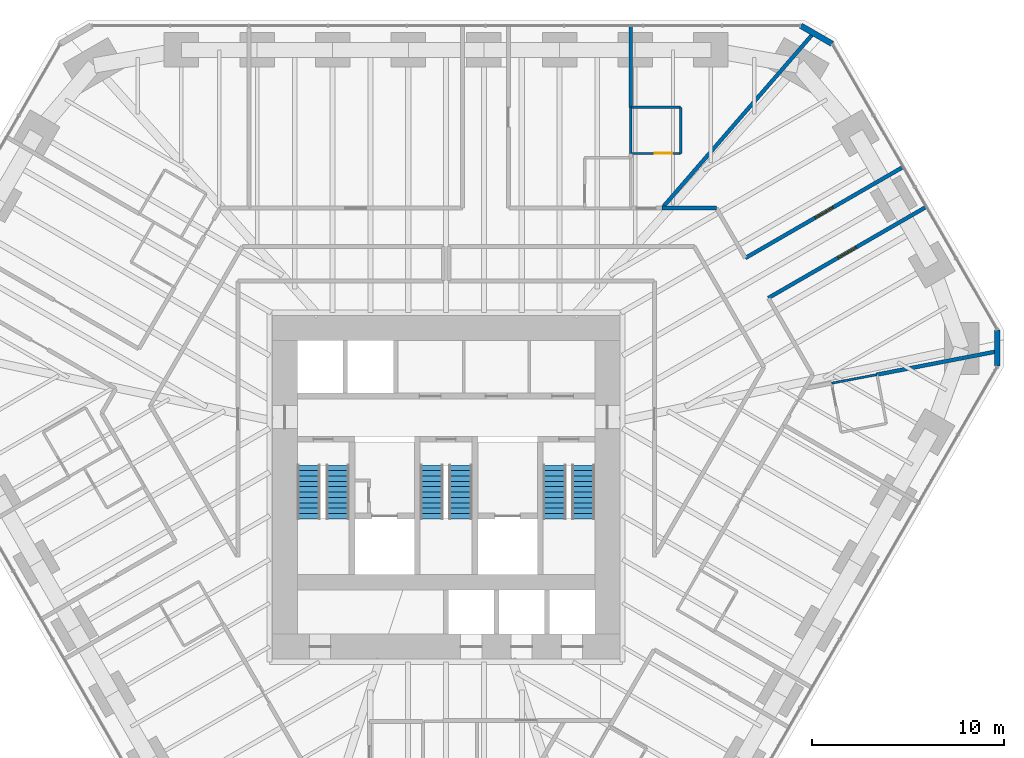
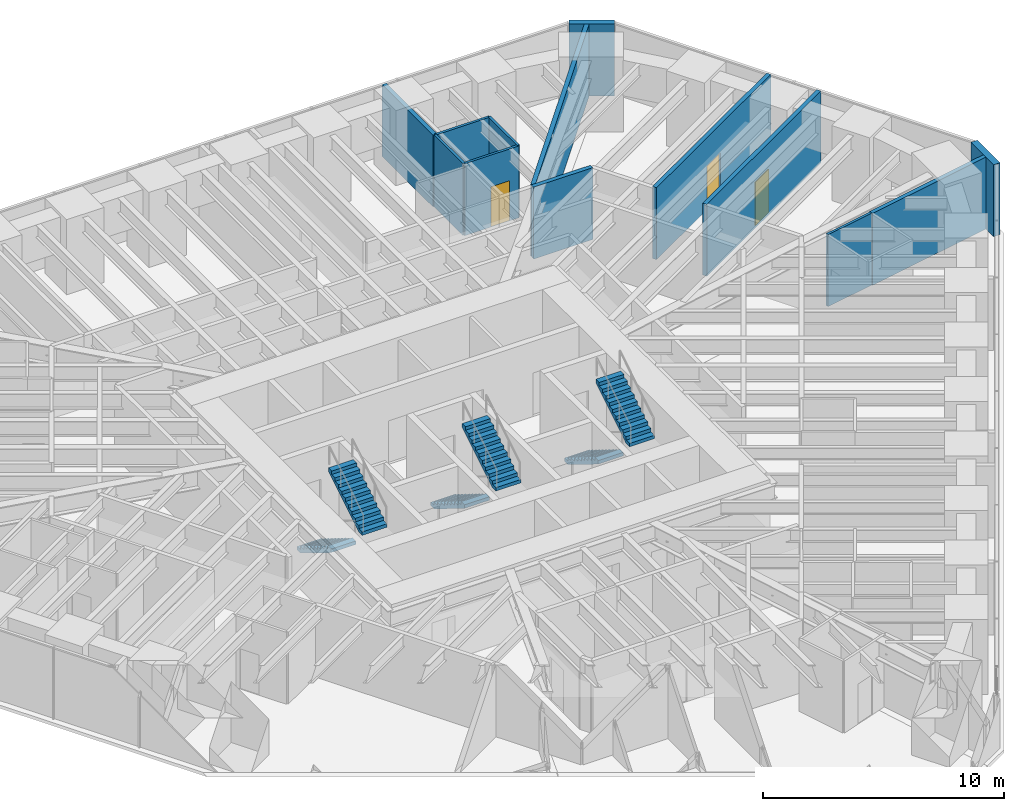
# One storey, part 15 of 16: 13 walls, 6 stair flights, 3 doors, 3 openings, 3 elements without a shape of their own.
"""IFC4 building model written with IfcOpenShell, lengths in metres."""

from ifc_helpers import new_model, si_unit, direction, frame, frame_2d, origin, place, context, subcontext, project, spatial, polyline, rectangle, outline, extrude, material, layer, layer_set, type_object, element, fill, aggregate, save


model = new_model("IFC4")

# Units and contexts
model_context = context("Model", 3, precision=1e-05, world=origin(), true_north=direction((0.0, 1.0)))
body_context = subcontext(model_context, "Body", "Model", "MODEL_VIEW")
ifc_project = project(units=[si_unit("LENGTHUNIT", "METRE"), si_unit("AREAUNIT", "SQUARE_METRE"), si_unit("VOLUMEUNIT", "CUBIC_METRE"), si_unit("PLANEANGLEUNIT", "RADIAN"), si_unit("MASSUNIT", "GRAM", prefix="KILO")], contexts=[model_context])

# Site, building, storey
site_placement = place(None, origin())
site = spatial("IfcSite", under=ifc_project, at=site_placement, CompositionType="ELEMENT")
building_placement = place(site_placement, origin())
building = spatial("IfcBuilding", under=site, at=building_placement, Name="Sandreach Pilgrim Tower", CompositionType="ELEMENT")
storey_placement = place(building_placement, frame((0.0, 0.0, 134.800048828125)))
storey = spatial("IfcBuildingStorey", under=building, at=storey_placement, Name="L33", CompositionType="ELEMENT", Elevation=134.800048828125)

# Wall, opening, door
ifc_material_1 = material(Name="Moisture-resistant gypsum board on steel studs", Category="steel")
ifc_layer_1 = layer(ifc_material_1, 0.1201171875)
ifc_layer_set_1 = layer_set([ifc_layer_1], Name="Bathroom partition 120")
wall_type_1 = type_object("IfcWallType", Name="Bathroom partition 120", PredefinedType="PARTITIONING", material=ifc_layer_set_1)
wall_1_placement = place(storey_placement, frame((9.6201171875, 15.840087890625, 0.0), z_axis=(0.0, 0.0, 1.0), x_axis=(1.0, 0.0, 0.0)))
wall_1 = element("IfcWall", 1, at=wall_1_placement, inside=storey, type_object=wall_type_1, Name="Bathroom partition L33-102", PredefinedType="PARTITIONING", context=body_context, shape_type="SweptSolid", body=[
    extrude(rectangle(XDim=2.599853515625, YDim=0.1201171875, at=frame_2d((1.2998046875, 0.0))), origin(), (0.0, 0.0, 1.0), 3.639892578125),
])
opening_1_placement = place(wall_1_placement, frame((1.25, 0.0, 0.0)))
opening_1 = element("IfcOpeningElement", 2, at=opening_1_placement, cuts=wall_1, Name="Opening D09-03B", PredefinedType="OPENING", context=body_context, shape_type="SweptSolid", body=[
    extrude(rectangle(XDim=0.89990234375, YDim=2.030029296875, at=frame_2d((0.449951171875, 1.01513671875))), frame((0.0, 0.06005859375, 0.0), z_axis=(0.0, -1.0, 0.0), x_axis=(1.0, 0.0, 0.0)), (0.0, 0.0, 1.0), 0.1201171875),
])
ifc_material_2 = material(Name="Timber door, steel frame", Category="steel")
door_type_1 = type_object("IfcDoorType", Name="Bathroom door", OperationType="SINGLE_SWING_LEFT", PredefinedType="DOOR", material=ifc_material_2)
door_1_placement = place(opening_1_placement, origin())
door_1 = element("IfcDoor", 3, at=door_1_placement, inside=storey, type_object=door_type_1, Name="Door 3303B", OperationType="SINGLE_SWING_RIGHT", OverallHeight=2.030029296875, OverallWidth=0.89990234375, PredefinedType="DOOR", context=body_context, shape_type="SweptSolid", body=[
    extrude(rectangle(XDim=0.89990234375, YDim=2.030029296875, at=frame_2d((0.449951171875, 1.01513671875))), frame((0.0, 0.02490234375, 0.0), z_axis=(0.0, -1.0, 0.0), x_axis=(1.0, 0.0, 0.0)), (0.0, 0.0, 1.0), 0.050048828125),
])
fill(opening_1, door_1)

# Walls
for number, where, z_axis, x_axis, name in (
    (4, (9.6201171875, 18.239990234375, 0.0), (0.0, 0.0, 1.0), (0.0, -1.0, 0.0), "Bathroom partition L33-103"),
    (5, (12.219970703125, 15.840087890625, 0.0), (0.0, 0.0, 1.0), (0.0, 1.0, 0.0), "Bathroom partition L33-114"),
):
    element("IfcWall", number, at=place(storey_placement, frame(where, z_axis=z_axis, x_axis=x_axis)), inside=storey, type_object=wall_type_1, Name=name, PredefinedType="PARTITIONING", context=body_context, shape_type="SweptSolid", body=[
        extrude(rectangle(XDim=2.39990234375, YDim=0.1201171875, at=frame_2d((1.199951171875, 0.0))), origin(), (0.0, 0.0, 1.0), 3.639892578125),
    ])
wall_2_placement = place(storey_placement, frame((12.219970703125, 18.239990234375, 0.0), z_axis=(0.0, 0.0, 1.0), x_axis=(-1.0, 0.0, 0.0)))
element("IfcWall", 6, at=wall_2_placement, inside=storey, type_object=wall_type_1, Name="Bathroom partition L33-115", PredefinedType="PARTITIONING", context=body_context, shape_type="SweptSolid", body=[
    extrude(rectangle(XDim=2.599853515625, YDim=0.1201171875, at=frame_2d((1.2998046875, 0.0))), origin(), (0.0, 0.0, 1.0), 3.639892578125),
])
wall_3_placement = place(storey_placement, frame((20.090087890625, 3.8701171875, 0.0), z_axis=(0.0, 0.0, 1.0), x_axis=(0.982478825295, 0.186374241373, 0.0)))
element("IfcWall", 7, at=wall_3_placement, inside=storey, type_object=wall_type_1, Name="Bathroom partition L33-131", PredefinedType="PARTITIONING", context=body_context, shape_type="SweptSolid", body=[
    extrude(rectangle(XDim=2.40234375, YDim=0.1201171875, at=frame_2d((1.201171875, 0.0))), origin(), (0.0, 0.0, 1.0), 3.639892578125),
])
ifc_material_3 = material(Name="Gypsum board on steel studs, two layers each side", Category="steel")
ifc_layer_2 = layer(ifc_material_3, 0.199951171875)
ifc_layer_set_2 = layer_set([ifc_layer_2], Name="Corridor wall 200")
wall_type_2 = type_object("IfcWallType", Name="Corridor wall 200", PredefinedType="PARTITIONING", material=ifc_layer_set_2)
wall_4_placement = place(storey_placement, frame((14.080078125, 12.989990234375, 0.0), z_axis=(0.0, 0.0, 1.0), x_axis=(-1.0, 0.0, 0.0)))
element("IfcWall", 8, at=wall_4_placement, inside=storey, type_object=wall_type_2, Name="Corridor wall L33-120", PredefinedType="PARTITIONING", context=body_context, shape_type="SweptSolid", body=[
    extrude(rectangle(XDim=2.830078125, YDim=0.199951171875, at=frame_2d((1.4150390625, 0.0))), origin(), (0.0, 0.0, 1.0), 3.639892578125),
])

# Wall, opening, door
wall_5_placement = place(storey_placement, frame((16.7900390625, 8.31005859375, 0.0), z_axis=(0.0, 0.0, 1.0), x_axis=(0.866106622958, 0.499859297871, 0.0)))
wall_5 = element("IfcWall", 9, at=wall_5_placement, inside=storey, type_object=wall_type_2, Name="Corridor wall L33-124", PredefinedType="PARTITIONING", context=body_context, shape_type="SweptSolid", body=[
    extrude(rectangle(XDim=9.472412109375, YDim=0.199951171875, at=frame_2d((4.736328125, 0.0))), origin(), (0.0, 0.0, 1.0), 3.639892578125),
])
opening_2_placement = place(wall_5_placement, frame((4.186279296875, 0.0, 0.0)))
opening_2 = element("IfcOpeningElement", 10, at=opening_2_placement, cuts=wall_5, Name="Opening D11H-05", PredefinedType="OPENING", context=body_context, shape_type="SweptSolid", body=[
    extrude(rectangle(XDim=1.10009765625, YDim=2.199951171875, at=frame_2d((0.550048828125, 1.10009765625))), frame((0.0, 0.10009765625, 0.0), z_axis=(0.0, -1.0, 0.0), x_axis=(1.0, 0.0, 0.0)), (0.0, 0.0, 1.0), 0.199951171875),
])
ifc_material_4 = material(Name="Steel door and frame", Category="steel")
door_type_2 = type_object("IfcDoorType", Name="Back of house door", OperationType="SINGLE_SWING_LEFT", PredefinedType="DOOR", material=ifc_material_4)
door_2_placement = place(opening_2_placement, origin())
door_2 = element("IfcDoor", 11, at=door_2_placement, inside=storey, type_object=door_type_2, Name="Door 3305", OperationType="SINGLE_SWING_LEFT", OverallHeight=2.199951171875, OverallWidth=1.10009765625, PredefinedType="DOOR", context=body_context, shape_type="SweptSolid", body=[
    extrude(rectangle(XDim=1.10009765625, YDim=2.199951171875, at=frame_2d((0.550048828125, 1.10009765625))), frame((0.0, 0.02490234375, 0.0), z_axis=(0.0, -1.0, 0.0), x_axis=(1.0, 0.0, 0.0)), (0.0, 0.0, 1.0), 0.050048828125),
])
fill(opening_2, door_2)

wall_6_placement = place(storey_placement, frame((23.7939453125, 15.125, 0.0), z_axis=(0.0, 0.0, 1.0), x_axis=(-0.866089024064, -0.499889790249, 0.0)))
wall_6 = element("IfcWall", 12, at=wall_6_placement, inside=storey, type_object=wall_type_2, Name="Corridor wall L33-135", PredefinedType="PARTITIONING", context=body_context, shape_type="SweptSolid", body=[
    extrude(rectangle(XDim=9.472412109375, YDim=0.199951171875, at=frame_2d((4.736328125, 0.0))), origin(), (0.0, 0.0, 1.0), 3.639892578125),
])
opening_3_placement = place(wall_6_placement, frame((4.186279296875, 0.0, 0.0)))
opening_3 = element("IfcOpeningElement", 13, at=opening_3_placement, cuts=wall_6, Name="Opening D11H-04", PredefinedType="OPENING", context=body_context, shape_type="SweptSolid", body=[
    extrude(rectangle(XDim=1.10009765625, YDim=2.199951171875, at=frame_2d((0.550048828125, 1.10009765625))), frame((0.0, 0.10009765625, 0.0), z_axis=(0.0, -1.0, 0.0), x_axis=(1.0, 0.0, 0.0)), (0.0, 0.0, 1.0), 0.199951171875),
])
door_3_placement = place(opening_3_placement, origin())
door_3 = element("IfcDoor", 14, at=door_3_placement, inside=storey, type_object=door_type_2, Name="Door 3304", OperationType="SINGLE_SWING_LEFT", OverallHeight=2.199951171875, OverallWidth=1.10009765625, PredefinedType="DOOR", context=body_context, shape_type="SweptSolid", body=[
    extrude(rectangle(XDim=1.10009765625, YDim=2.199951171875, at=frame_2d((0.550048828125, 1.10009765625))), frame((0.0, 0.02490234375, 0.0), z_axis=(0.0, -1.0, 0.0), x_axis=(1.0, 0.0, 0.0)), (0.0, 0.0, 1.0), 0.050048828125),
])
fill(opening_3, door_3)

# Walls
ifc_material_5 = material(Name="Double steel stud acoustic wall, gypsum board", Category="steel")
ifc_layer_3 = layer(ifc_material_5, 0.199951171875)
ifc_layer_set_3 = layer_set([ifc_layer_3], Name="Party wall 200")
wall_type_3 = type_object("IfcWallType", Name="Party wall 200", PredefinedType="PARTITIONING", material=ifc_layer_set_3)
wall_7_placement = place(storey_placement, frame((9.6201171875, 22.4599609375, 0.0), z_axis=(0.0, 0.0, 1.0), x_axis=(0.0, -1.0, 0.0)))
element("IfcWall", 15, at=wall_7_placement, inside=storey, type_object=wall_type_3, Name="Party wall L33-104", PredefinedType="PARTITIONING", context=body_context, shape_type="SweptSolid", body=[
    extrude(rectangle(XDim=4.219970703125, YDim=0.199951171875, at=frame_2d((2.10986328125, 0.0))), origin(), (0.0, 0.0, 1.0), 3.639892578125),
])
wall_8_placement = place(storey_placement, frame((19.160400390625, 22.127197265625, 0.0), z_axis=(0.0, 0.0, 1.0), x_axis=(-0.654528846076, -0.756037029288, 0.0)))
element("IfcWall", 16, at=wall_8_placement, inside=storey, type_object=wall_type_3, Name="Party wall L33-129", PredefinedType="PARTITIONING", context=body_context, shape_type="SweptSolid", body=[
    extrude(rectangle(XDim=11.965576171875, YDim=0.199951171875, at=frame_2d((5.98291015625, 0.0))), origin(), (0.0, 0.0, 1.0), 3.639892578125),
])
wall_9_placement = place(storey_placement, frame((22.450439453125, 4.31787109375, 0.0), z_axis=(0.0, 0.0, 1.0), x_axis=(0.981805297839, 0.189890381894, 0.0)))
element("IfcWall", 17, at=wall_9_placement, inside=storey, type_object=wall_type_3, Name="Party wall L33-133", PredefinedType="PARTITIONING", context=body_context, shape_type="SweptSolid", body=[
    extrude(rectangle(XDim=6.406494140625, YDim=0.199951171875, at=frame_2d((3.203125, 0.0))), origin(), (0.0, 0.0, 1.0), 3.639892578125),
])
ifc_material_6 = material(Name="Terracotta rainscreen on concrete", Category="masonry")
ifc_layer_4 = layer(ifc_material_6, 0.300048828125)
ifc_layer_set_4 = layer_set([ifc_layer_4], Name="Terracotta chamfer pier")
wall_type_4 = type_object("IfcWallType", Name="Terracotta chamfer pier", PredefinedType="SOLIDWALL", material=ifc_layer_set_4)
wall_10_placement = place(storey_placement, frame((18.4814453125, 22.493896484375, 0.0), z_axis=(0.0, 0.0, 1.0), x_axis=(0.865988793993, -0.500063404658, 0.0)))
element("IfcWall", 18, at=wall_10_placement, inside=storey, type_object=wall_type_4, Name="Chamfer pier L33 N", PredefinedType="SOLIDWALL", context=body_context, shape_type="SweptSolid", body=[
    extrude(rectangle(XDim=1.880126953125, YDim=0.300048828125, at=frame_2d((0.93994140625, 0.0))), origin(), (0.0, 0.0, 1.0), 3.639892578125),
])
wall_11_placement = place(storey_placement, frame((28.720947265625, 6.638427734375, 0.0), z_axis=(0.0, 0.0, 1.0), x_axis=(0.0, -1.0, 0.0)))
element("IfcWall", 19, at=wall_11_placement, inside=storey, type_object=wall_type_4, Name="Chamfer pier L33 NE", PredefinedType="SOLIDWALL", context=body_context, shape_type="SweptSolid", body=[
    extrude(rectangle(XDim=1.8798828125, YDim=0.300048828125, at=frame_2d((0.93994140625, 0.0))), origin(), (0.0, 0.0, 1.0), 3.639892578125),
])

# Stair, stair flights
ifc_material_7 = material(Name="Concrete 8000 psi", Category="concrete")
stair_type = type_object("IfcStairType", Name="Core exit stair", PredefinedType="HALF_TURN_STAIR", material=ifc_material_7)
stair_1_placement = place(storey_placement, origin())
stair_1 = element("IfcStair", 20, at=stair_1_placement, inside=storey, type_object=stair_type, Name="Exit stair ST1 L33", PredefinedType="HALF_TURN_STAIR")
ifc_material_8 = material(Name="Concrete 8000 psi", Category="concrete")
stair_flight_type = type_object("IfcStairFlightType", Name="Core stair flight 1200", PredefinedType="STRAIGHT", material=ifc_material_8)
stair_flight_1_placement = place(storey_placement, frame((-7.14990234375, -0.39990234375, 0.0), z_axis=(0.0, 0.0, 1.0), x_axis=(0.0, -1.0, 0.0)))
stair_flight_1 = element("IfcStairFlight", 21, at=stair_flight_1_placement, type_object=stair_flight_type, Name="ST1 flight 1", NumberOfRisers=11, NumberOfTreads=10, PredefinedType="STRAIGHT", RiserHeight=0.172727273, TreadLength=0.28, context=body_context, shape_type="SweptSolid", body=[
    extrude(outline(polyline([(0.0, 0.0), (0.0, 0.172607421875), (0.280029296875, 0.172607421875), (0.280029296875, 0.345458984375), (0.56005859375, 0.345458984375), (0.56005859375, 0.51806640625), (0.840087890625, 0.51806640625), (0.840087890625, 0.69091796875), (1.1201171875, 0.69091796875), (1.1201171875, 0.863525390625), (1.39990234375, 0.863525390625), (1.39990234375, 1.036376953125), (1.679931640625, 1.036376953125), (1.679931640625, 1.208984375), (1.9599609375, 1.208984375), (1.9599609375, 1.3818359375), (2.239990234375, 1.3818359375), (2.239990234375, 1.554443359375), (2.52001953125, 1.554443359375), (2.52001953125, 1.727294921875), (2.800048828125, 1.727294921875), (2.800048828125, 1.89990234375), (2.800048828125, 1.551025390625), (0.285400390625, 0.0), (0.0, 0.0)])), frame((0.0, 0.60009765625, 0.0), z_axis=(0.0, -1.0, 0.0), x_axis=(1.0, 0.0, 0.0)), (0.0, 0.0, 1.0), 1.199951171875),
])
stair_flight_2_placement = place(storey_placement, frame((-5.64990234375, -3.199951171875, 1.89990234375), z_axis=(0.0, 0.0, 1.0), x_axis=(0.0, 1.0, 0.0)))
stair_flight_2 = element("IfcStairFlight", 22, at=stair_flight_2_placement, type_object=stair_flight_type, Name="ST1 flight 2", NumberOfRisers=11, NumberOfTreads=10, PredefinedType="STRAIGHT", RiserHeight=0.172727273, TreadLength=0.28, context=body_context, shape_type="SweptSolid", body=[
    extrude(outline(polyline([(0.0, 0.0), (0.0, 0.172607421875), (0.280029296875, 0.172607421875), (0.280029296875, 0.345458984375), (0.56005859375, 0.345458984375), (0.56005859375, 0.51806640625), (0.840087890625, 0.51806640625), (0.840087890625, 0.69091796875), (1.1201171875, 0.69091796875), (1.1201171875, 0.863525390625), (1.39990234375, 0.863525390625), (1.39990234375, 1.036376953125), (1.679931640625, 1.036376953125), (1.679931640625, 1.208984375), (1.9599609375, 1.208984375), (1.9599609375, 1.3818359375), (2.239990234375, 1.3818359375), (2.239990234375, 1.554443359375), (2.52001953125, 1.554443359375), (2.52001953125, 1.727294921875), (2.800048828125, 1.727294921875), (2.800048828125, 1.89990234375), (2.800048828125, 1.551025390625), (0.285400390625, 0.0), (0.0, 0.0)])), frame((0.0, 0.60009765625, 0.0), z_axis=(0.0, -1.0, 0.0), x_axis=(1.0, 0.0, 0.0)), (0.0, 0.0, 1.0), 1.199951171875),
])
aggregate(stair_1, [stair_flight_1, stair_flight_2])

stair_2_placement = place(storey_placement, origin())
stair_2 = element("IfcStair", 23, at=stair_2_placement, inside=storey, type_object=stair_type, Name="Exit stair ST3 L33", PredefinedType="HALF_TURN_STAIR")
stair_flight_3_placement = place(storey_placement, frame((-0.75, -0.39990234375, 0.0), z_axis=(0.0, 0.0, 1.0), x_axis=(0.0, -1.0, 0.0)))
stair_flight_3 = element("IfcStairFlight", 24, at=stair_flight_3_placement, type_object=stair_flight_type, Name="ST3 flight 1", NumberOfRisers=11, NumberOfTreads=10, PredefinedType="STRAIGHT", RiserHeight=0.172727273, TreadLength=0.28, context=body_context, shape_type="SweptSolid", body=[
    extrude(outline(polyline([(0.0, 0.0), (0.0, 0.172607421875), (0.280029296875, 0.172607421875), (0.280029296875, 0.345458984375), (0.56005859375, 0.345458984375), (0.56005859375, 0.51806640625), (0.840087890625, 0.51806640625), (0.840087890625, 0.69091796875), (1.1201171875, 0.69091796875), (1.1201171875, 0.863525390625), (1.39990234375, 0.863525390625), (1.39990234375, 1.036376953125), (1.679931640625, 1.036376953125), (1.679931640625, 1.208984375), (1.9599609375, 1.208984375), (1.9599609375, 1.3818359375), (2.239990234375, 1.3818359375), (2.239990234375, 1.554443359375), (2.52001953125, 1.554443359375), (2.52001953125, 1.727294921875), (2.800048828125, 1.727294921875), (2.800048828125, 1.89990234375), (2.800048828125, 1.551025390625), (0.285400390625, 0.0), (0.0, 0.0)])), frame((0.0, 0.60009765625, 0.0), z_axis=(0.0, -1.0, 0.0), x_axis=(1.0, 0.0, 0.0)), (0.0, 0.0, 1.0), 1.199951171875),
])
stair_flight_4_placement = place(storey_placement, frame((0.75, -3.199951171875, 1.89990234375), z_axis=(0.0, 0.0, 1.0), x_axis=(0.0, 1.0, 0.0)))
stair_flight_4 = element("IfcStairFlight", 25, at=stair_flight_4_placement, type_object=stair_flight_type, Name="ST3 flight 2", NumberOfRisers=11, NumberOfTreads=10, PredefinedType="STRAIGHT", RiserHeight=0.172727273, TreadLength=0.28, context=body_context, shape_type="SweptSolid", body=[
    extrude(outline(polyline([(0.0, 0.0), (0.0, 0.172607421875), (0.280029296875, 0.172607421875), (0.280029296875, 0.345458984375), (0.56005859375, 0.345458984375), (0.56005859375, 0.51806640625), (0.840087890625, 0.51806640625), (0.840087890625, 0.69091796875), (1.1201171875, 0.69091796875), (1.1201171875, 0.863525390625), (1.39990234375, 0.863525390625), (1.39990234375, 1.036376953125), (1.679931640625, 1.036376953125), (1.679931640625, 1.208984375), (1.9599609375, 1.208984375), (1.9599609375, 1.3818359375), (2.239990234375, 1.3818359375), (2.239990234375, 1.554443359375), (2.52001953125, 1.554443359375), (2.52001953125, 1.727294921875), (2.800048828125, 1.727294921875), (2.800048828125, 1.89990234375), (2.800048828125, 1.551025390625), (0.285400390625, 0.0), (0.0, 0.0)])), frame((0.0, 0.60009765625, 0.0), z_axis=(0.0, -1.0, 0.0), x_axis=(1.0, 0.0, 0.0)), (0.0, 0.0, 1.0), 1.199951171875),
])
aggregate(stair_2, [stair_flight_3, stair_flight_4])

stair_3_placement = place(storey_placement, origin())
stair_3 = element("IfcStair", 26, at=stair_3_placement, inside=storey, type_object=stair_type, Name="Exit stair ST2 L33", PredefinedType="HALF_TURN_STAIR")
stair_flight_5_placement = place(storey_placement, frame((5.64990234375, -0.39990234375, 0.0), z_axis=(0.0, 0.0, 1.0), x_axis=(0.0, -1.0, 0.0)))
stair_flight_5 = element("IfcStairFlight", 27, at=stair_flight_5_placement, type_object=stair_flight_type, Name="ST2 flight 1", NumberOfRisers=11, NumberOfTreads=10, PredefinedType="STRAIGHT", RiserHeight=0.172727273, TreadLength=0.28, context=body_context, shape_type="SweptSolid", body=[
    extrude(outline(polyline([(0.0, 0.0), (0.0, 0.172607421875), (0.280029296875, 0.172607421875), (0.280029296875, 0.345458984375), (0.56005859375, 0.345458984375), (0.56005859375, 0.51806640625), (0.840087890625, 0.51806640625), (0.840087890625, 0.69091796875), (1.1201171875, 0.69091796875), (1.1201171875, 0.863525390625), (1.39990234375, 0.863525390625), (1.39990234375, 1.036376953125), (1.679931640625, 1.036376953125), (1.679931640625, 1.208984375), (1.9599609375, 1.208984375), (1.9599609375, 1.3818359375), (2.239990234375, 1.3818359375), (2.239990234375, 1.554443359375), (2.52001953125, 1.554443359375), (2.52001953125, 1.727294921875), (2.800048828125, 1.727294921875), (2.800048828125, 1.89990234375), (2.800048828125, 1.551025390625), (0.285400390625, 0.0), (0.0, 0.0)])), frame((0.0, 0.60009765625, 0.0), z_axis=(0.0, -1.0, 0.0), x_axis=(1.0, 0.0, 0.0)), (0.0, 0.0, 1.0), 1.199951171875),
])
stair_flight_6_placement = place(storey_placement, frame((7.14990234375, -3.199951171875, 1.89990234375), z_axis=(0.0, 0.0, 1.0), x_axis=(0.0, 1.0, 0.0)))
stair_flight_6 = element("IfcStairFlight", 28, at=stair_flight_6_placement, type_object=stair_flight_type, Name="ST2 flight 2", NumberOfRisers=11, NumberOfTreads=10, PredefinedType="STRAIGHT", RiserHeight=0.172727273, TreadLength=0.28, context=body_context, shape_type="SweptSolid", body=[
    extrude(outline(polyline([(0.0, 0.0), (0.0, 0.172607421875), (0.280029296875, 0.172607421875), (0.280029296875, 0.345458984375), (0.56005859375, 0.345458984375), (0.56005859375, 0.51806640625), (0.840087890625, 0.51806640625), (0.840087890625, 0.69091796875), (1.1201171875, 0.69091796875), (1.1201171875, 0.863525390625), (1.39990234375, 0.863525390625), (1.39990234375, 1.036376953125), (1.679931640625, 1.036376953125), (1.679931640625, 1.208984375), (1.9599609375, 1.208984375), (1.9599609375, 1.3818359375), (2.239990234375, 1.3818359375), (2.239990234375, 1.554443359375), (2.52001953125, 1.554443359375), (2.52001953125, 1.727294921875), (2.800048828125, 1.727294921875), (2.800048828125, 1.89990234375), (2.800048828125, 1.551025390625), (0.285400390625, 0.0), (0.0, 0.0)])), frame((0.0, 0.60009765625, 0.0), z_axis=(0.0, -1.0, 0.0), x_axis=(1.0, 0.0, 0.0)), (0.0, 0.0, 1.0), 1.199951171875),
])
aggregate(stair_3, [stair_flight_5, stair_flight_6])

save(model, "model.ifc")
